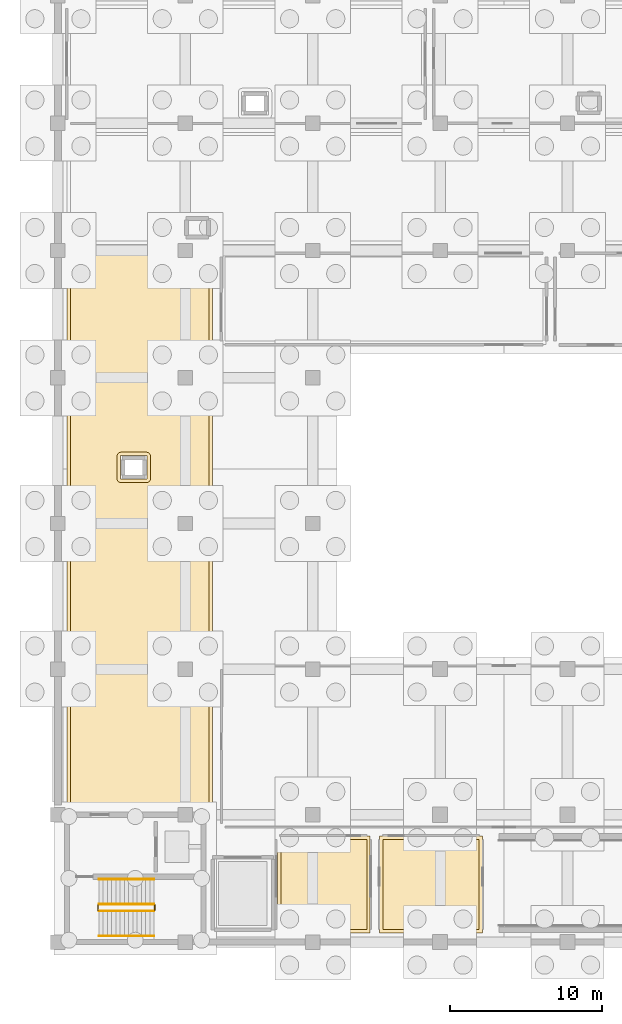
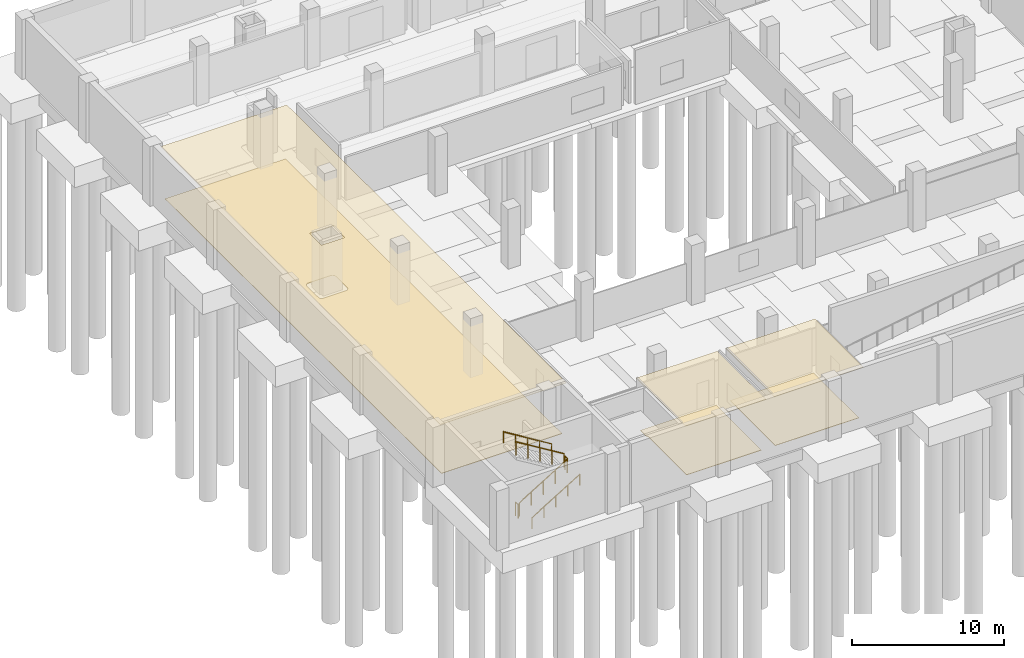
# One storey, part 9 of 12: 6 coverings, 6 railings.
"""IFC4 building model written with IfcOpenShell, lengths in metres."""

from ifc_helpers import new_model, si_unit, direction, frame, origin, origin_2d, place, context, subcontext, project, spatial, polyline, circle, outline, extrude, material, layer, layer_set, type_object, element, save


model = new_model("IFC4")

# Units and contexts
model_context = context("Model", 3, precision=1e-05, world=origin(), true_north=direction((0.0, 1.0)))
body_context = subcontext(model_context, "Body", "Model", "MODEL_VIEW")
ifc_project = project(units=[si_unit("LENGTHUNIT", "METRE"), si_unit("AREAUNIT", "SQUARE_METRE"), si_unit("VOLUMEUNIT", "CUBIC_METRE"), si_unit("PLANEANGLEUNIT", "RADIAN"), si_unit("MASSUNIT", "GRAM", prefix="KILO")], contexts=[model_context])

# Site, building, storey
site_placement = place(None, origin())
site = spatial("IfcSite", under=ifc_project, at=site_placement, CompositionType="ELEMENT")
building_placement = place(site_placement, origin())
building = spatial("IfcBuilding", under=site, at=building_placement, Name="Zulmaris Art Gallery", CompositionType="ELEMENT")
storey_placement = place(building_placement, frame((0.0, 0.0, -4.800048828125)))
storey = spatial("IfcBuildingStorey", under=building, at=storey_placement, Name="B1", CompositionType="ELEMENT", Elevation=-4.800048828125)

# Coverings
ifc_material_1 = material(Name="Micro-Perforated Gypsum Acoustic Ceiling", Category="gypsum")
ifc_layer_1 = layer(ifc_material_1, 0.02490234375)
ifc_layer_set_1 = layer_set([ifc_layer_1], Name="Micro-Perforated Gypsum Acoustic Ceiling")
covering_type_1 = type_object("IfcCoveringType", Name="COV-CL01", PredefinedType="CEILING", material=ifc_layer_set_1)
covering_1_placement = place(storey_placement, frame((0.0, 0.0, 4.130126953125)))
element("IfcCovering", 1, at=covering_1_placement, inside=storey, type_object=covering_type_1, Name="Basement West Vault Corridor acoustic ceiling", PredefinedType="CEILING", context=body_context, shape_type="SweptSolid", body=[
    extrude(outline(polyline([(142.2099609375, 58.7900390625), (151.7900390625, 58.7900390625), (151.7900390625, 22.010009765625), (142.2099609375, 22.010009765625), (142.2099609375, 58.7900390625)]), holes=[polyline([(145.741455078125, 45.278564453125), (145.738525390625, 45.277587890625), (145.736083984375, 45.276123046875), (145.7333984375, 45.274658203125), (145.731201171875, 45.27294921875), (145.72900390625, 45.27099609375), (145.72705078125, 45.268798828125), (145.725341796875, 45.2666015625), (145.723876953125, 45.263916015625), (145.722412109375, 45.261474609375), (145.721435546875, 45.258544921875), (145.720703125, 45.255859375), (145.720458984375, 45.2529296875), (145.719970703125, 45.24462890625), (145.719970703125, 43.75537109375), (145.720458984375, 43.7470703125), (145.720703125, 43.744140625), (145.721435546875, 43.741455078125), (145.722412109375, 43.738525390625), (145.723876953125, 43.736083984375), (145.725341796875, 43.7333984375), (145.72705078125, 43.731201171875), (145.72900390625, 43.72900390625), (145.731201171875, 43.72705078125), (145.7333984375, 43.725341796875), (145.736083984375, 43.723876953125), (145.738525390625, 43.722412109375), (145.741455078125, 43.721435546875), (145.744140625, 43.720703125), (145.7470703125, 43.720458984375), (145.75537109375, 43.719970703125), (147.444580078125, 43.719970703125), (147.452880859375, 43.720458984375), (147.455810546875, 43.720703125), (147.45849609375, 43.721435546875), (147.46142578125, 43.722412109375), (147.464111328125, 43.723876953125), (147.466552734375, 43.725341796875), (147.468994140625, 43.72705078125), (147.470947265625, 43.72900390625), (147.472900390625, 43.731201171875), (147.474609375, 43.7333984375), (147.476318359375, 43.736083984375), (147.4775390625, 43.738525390625), (147.478515625, 43.741455078125), (147.479248046875, 43.744140625), (147.4794921875, 43.7470703125), (147.47998046875, 43.75537109375), (147.47998046875, 45.24462890625), (147.4794921875, 45.2529296875), (147.479248046875, 45.255859375), (147.478515625, 45.258544921875), (147.4775390625, 45.261474609375), (147.476318359375, 45.263916015625), (147.474609375, 45.2666015625), (147.472900390625, 45.268798828125), (147.470947265625, 45.27099609375), (147.468994140625, 45.27294921875), (147.466552734375, 45.274658203125), (147.464111328125, 45.276123046875), (147.46142578125, 45.277587890625), (147.45849609375, 45.278564453125), (147.455810546875, 45.279296875), (147.452880859375, 45.279541015625), (147.444580078125, 45.280029296875), (145.75537109375, 45.280029296875), (145.7470703125, 45.279541015625), (145.744140625, 45.279296875), (145.741455078125, 45.278564453125)])]), origin(), (0.0, 0.0, 1.0), 0.030029296875),
])
covering_2_placement = place(storey_placement, frame((0.0, 0.0, 4.130126953125)))
element("IfcCovering", 2, at=covering_2_placement, inside=storey, type_object=covering_type_1, Name="Basement Staff WC acoustic ceiling", PredefinedType="CEILING", context=body_context, shape_type="SweptSolid", body=[
    extrude(outline(polyline([(162.18994140625, 13.81005859375), (156.080078125, 13.81005859375), (156.080078125, 19.044677734375), (156.07958984375, 19.052978515625), (156.0791015625, 19.055908203125), (156.07861328125, 19.05859375), (156.077392578125, 19.061279296875), (156.076171875, 19.06396484375), (156.07470703125, 19.06640625), (156.072998046875, 19.06884765625), (156.010009765625, 19.138427734375), (156.010009765625, 20.18994140625), (162.18994140625, 20.18994140625), (162.18994140625, 13.81005859375)])), origin(), (0.0, 0.0, 1.0), 0.030029296875),
])
covering_3_placement = place(storey_placement, frame((0.0, 0.0, 4.130126953125)))
element("IfcCovering", 3, at=covering_3_placement, inside=storey, type_object=covering_type_1, Name="Basement Accessible WC acoustic ceiling", PredefinedType="CEILING", context=body_context, shape_type="SweptSolid", body=[
    extrude(outline(polyline([(162.81005859375, 20.18994140625), (169.590087890625, 20.18994140625), (169.590087890625, 13.81005859375), (162.81005859375, 13.81005859375), (162.81005859375, 20.18994140625)])), origin(), (0.0, 0.0, 1.0), 0.030029296875),
])
ifc_material_2 = material(Name="Honed Omani Limestone Terrazzo Flooring", Category="masonry")
ifc_layer_2 = layer(ifc_material_2, 0.0400390625)
ifc_layer_set_2 = layer_set([ifc_layer_2], Name="Honed Omani Limestone Terrazzo Flooring")
covering_type_2 = type_object("IfcCoveringType", Name="COV-FL01", PredefinedType="FLOORING", material=ifc_layer_set_2)
covering_4_placement = place(storey_placement, origin())
element("IfcCovering", 4, at=covering_4_placement, inside=storey, type_object=covering_type_2, Name="Basement West Vault Corridor finish flooring", PredefinedType="FLOORING", context=body_context, shape_type="SweptSolid", body=[
    extrude(outline(polyline([(151.570068359375, 22.22998046875), (142.429931640625, 22.22998046875), (142.429931640625, 58.570068359375), (151.570068359375, 58.570068359375), (151.570068359375, 22.22998046875)]), holes=[polyline([(145.7255859375, 45.498779296875), (145.701171875, 45.4951171875), (145.677490234375, 45.4892578125), (145.654296875, 45.48095703125), (145.632080078125, 45.470458984375), (145.611083984375, 45.4580078125), (145.59130859375, 45.443359375), (145.5732421875, 45.4267578125), (145.556640625, 45.40869140625), (145.5419921875, 45.388916015625), (145.529541015625, 45.367919921875), (145.51904296875, 45.345703125), (145.5107421875, 45.322509765625), (145.5048828125, 45.298828125), (145.501220703125, 45.2744140625), (145.5, 45.25), (145.5, 43.75), (145.501220703125, 43.7255859375), (145.5048828125, 43.701171875), (145.5107421875, 43.677490234375), (145.51904296875, 43.654296875), (145.529541015625, 43.632080078125), (145.5419921875, 43.611083984375), (145.556640625, 43.59130859375), (145.5732421875, 43.5732421875), (145.59130859375, 43.556640625), (145.611083984375, 43.5419921875), (145.632080078125, 43.529541015625), (145.654296875, 43.51904296875), (145.677490234375, 43.5107421875), (145.701171875, 43.5048828125), (145.7255859375, 43.501220703125), (145.75, 43.5), (147.449951171875, 43.5), (147.474609375, 43.501220703125), (147.498779296875, 43.5048828125), (147.522705078125, 43.5107421875), (147.545654296875, 43.51904296875), (147.56787109375, 43.529541015625), (147.5888671875, 43.5419921875), (147.608642578125, 43.556640625), (147.626708984375, 43.5732421875), (147.643310546875, 43.59130859375), (147.657958984375, 43.611083984375), (147.67041015625, 43.632080078125), (147.680908203125, 43.654296875), (147.689208984375, 43.677490234375), (147.6953125, 43.701171875), (147.69873046875, 43.7255859375), (147.699951171875, 43.75), (147.699951171875, 45.25), (147.69873046875, 45.2744140625), (147.6953125, 45.298828125), (147.689208984375, 45.322509765625), (147.680908203125, 45.345703125), (147.67041015625, 45.367919921875), (147.657958984375, 45.388916015625), (147.643310546875, 45.40869140625), (147.626708984375, 45.4267578125), (147.608642578125, 45.443359375), (147.5888671875, 45.4580078125), (147.56787109375, 45.470458984375), (147.545654296875, 45.48095703125), (147.522705078125, 45.4892578125), (147.498779296875, 45.4951171875), (147.474609375, 45.498779296875), (147.449951171875, 45.5), (145.75, 45.5), (145.7255859375, 45.498779296875)])]), origin(), (0.0, 0.0, 1.0), 0.03515625),
])
covering_5_placement = place(storey_placement, origin())
element("IfcCovering", 5, at=covering_5_placement, inside=storey, type_object=covering_type_2, Name="Basement Staff WC finish flooring", PredefinedType="FLOORING", context=body_context, shape_type="SweptSolid", body=[
    extrude(outline(polyline([(156.22998046875, 19.969970703125), (161.969970703125, 19.969970703125), (161.969970703125, 14.030029296875), (156.300048828125, 14.030029296875), (156.300048828125, 19.050048828125), (156.298828125, 19.074462890625), (156.295166015625, 19.098876953125), (156.289306640625, 19.12255859375), (156.281005859375, 19.145751953125), (156.2705078125, 19.167724609375), (156.2578125, 19.18896484375), (156.243408203125, 19.20849609375), (156.22998046875, 19.22314453125), (156.22998046875, 19.969970703125)])), origin(), (0.0, 0.0, 1.0), 0.03515625),
])
covering_6_placement = place(storey_placement, origin())
element("IfcCovering", 6, at=covering_6_placement, inside=storey, type_object=covering_type_2, Name="Basement Accessible WC finish flooring", PredefinedType="FLOORING", context=body_context, shape_type="SweptSolid", body=[
    extrude(outline(polyline([(169.3701171875, 14.030029296875), (163.030029296875, 14.030029296875), (163.030029296875, 19.969970703125), (169.3701171875, 19.969970703125), (169.3701171875, 14.030029296875)])), origin(), (0.0, 0.0, 1.0), 0.03515625),
])

# Railings
ifc_material_3 = material(Name="Steel S355J2", Category="steel")
ifc_layer_3 = layer(ifc_material_3, 0.050048828125)
ifc_layer_set_3 = layer_set([ifc_layer_3], Name="Steel S355J2")
railing_type_1 = type_object("IfcRailingType", Name="RAIL-STGRD", PredefinedType="GUARDRAIL", material=ifc_layer_set_3)
railing_1_placement = place(storey_placement, frame((144.300048828125, 15.25, 0.17138671875)))
element("IfcRailing", 7, at=railing_1_placement, inside=storey, type_object=railing_type_1, Name="B1 ST3 stair guard 1", PredefinedType="GUARDRAIL", context=body_context, shape_type="SweptSolid", body=[
    extrude(circle(Radius=0.02392578125, at=origin_2d()), frame((0.0, 0.0, 1.076171875), z_axis=(0.852824790078, 0.0, 0.522197163366), x_axis=(0.0, 1.0, 0.0)), (0.0, 0.0, 1.0), 4.26806640625),
    extrude(circle(Radius=0.02099609375, at=origin_2d()), origin(), (0.0, 0.0, 1.0), 1.052001953125),
    extrude(circle(Radius=0.02099609375, at=origin_2d()), frame((0.909912109375, 0.0, 0.55712890625)), (0.0, 0.0, 1.0), 1.052001953125),
    extrude(circle(Radius=0.02099609375, at=origin_2d()), frame((1.81982421875, 0.0, 1.1142578125)), (0.0, 0.0, 1.0), 1.052001953125),
    extrude(circle(Radius=0.02099609375, at=origin_2d()), frame((2.72998046875, 0.0, 1.671630859375)), (0.0, 0.0, 1.0), 1.052001953125),
    extrude(circle(Radius=0.02099609375, at=origin_2d()), frame((3.639892578125, 0.0, 2.228759765625)), (0.0, 0.0, 1.0), 1.052001953125),
])
railing_2_placement = place(storey_placement, frame((147.989990234375, 15.300048828125, 2.400146484375)))
element("IfcRailing", 8, at=railing_2_placement, inside=storey, type_object=railing_type_1, Name="B1 ST3 stair guard 2", PredefinedType="GUARDRAIL", context=body_context, shape_type="SweptSolid", body=[
    extrude(circle(Radius=0.02392578125, at=origin_2d()), frame((0.0, 0.0, 1.076171875), z_axis=(0.0, 1.0, 0.0), x_axis=(-1.0, 0.0, 0.0)), (0.0, 0.0, 1.0), 0.33984375),
    extrude(circle(Radius=0.02099609375, at=origin_2d()), origin(), (0.0, 0.0, 1.0), 1.052001953125),
    extrude(circle(Radius=0.02099609375, at=origin_2d()), frame((0.0, 0.33984375, 0.0)), (0.0, 0.0, 1.0), 1.052001953125),
])
railing_3_placement = place(storey_placement, frame((147.93994140625, 15.68994140625, 2.571533203125)))
element("IfcRailing", 9, at=railing_3_placement, inside=storey, type_object=railing_type_1, Name="B1 ST3 stair guard 3", PredefinedType="GUARDRAIL", context=body_context, shape_type="SweptSolid", body=[
    extrude(circle(Radius=0.02392578125, at=origin_2d()), frame((0.0, 0.0, 1.076171875), z_axis=(-0.852850264322, 0.0, 0.5221555579), x_axis=(0.0, -1.0, 0.0)), (0.0, 0.0, 1.0), 4.267822265625),
    extrude(circle(Radius=0.02099609375, at=origin_2d()), origin(), (0.0, 0.0, 1.0), 1.052001953125),
    extrude(circle(Radius=0.02099609375, at=origin_2d()), frame((-0.909912109375, 0.0, 0.55712890625)), (0.0, 0.0, 1.0), 1.052001953125),
    extrude(circle(Radius=0.02099609375, at=origin_2d()), frame((-1.81982421875, 0.0, 1.1142578125)), (0.0, 0.0, 1.0), 1.052001953125),
    extrude(circle(Radius=0.02099609375, at=origin_2d()), frame((-2.72998046875, 0.0, 1.67138671875)), (0.0, 0.0, 1.0), 1.052001953125),
    extrude(circle(Radius=0.02099609375, at=origin_2d()), frame((-3.639892578125, 0.0, 2.228515625)), (0.0, 0.0, 1.0), 1.052001953125),
])
railing_4_placement = place(storey_placement, frame((144.25, 15.300048828125, 0.0)))
element("IfcRailing", 10, at=railing_4_placement, inside=storey, type_object=railing_type_1, Name="B1 ST3 stair guard 4", PredefinedType="GUARDRAIL", context=body_context, shape_type="SweptSolid", body=[
    extrude(circle(Radius=0.02392578125, at=origin_2d()), frame((0.0, 0.0, 1.076171875), z_axis=(0.0, 1.0, 0.0), x_axis=(-1.0, 0.0, 0.0)), (0.0, 0.0, 1.0), 0.33984375),
    extrude(circle(Radius=0.02099609375, at=origin_2d()), origin(), (0.0, 0.0, 1.0), 1.052001953125),
    extrude(circle(Radius=0.02099609375, at=origin_2d()), frame((0.0, 0.33984375, 0.0)), (0.0, 0.0, 1.0), 1.052001953125),
])
ifc_material_4 = material(Name="Brushed Bronze Handrail", Category="steel")
ifc_layer_4 = layer(ifc_material_4, 0.048095703125)
ifc_layer_set_4 = layer_set([ifc_layer_4], Name="Brushed Bronze Handrail")
railing_type_2 = type_object("IfcRailingType", Name="RAIL-STHND", PredefinedType="HANDRAIL", material=ifc_layer_set_4)
railing_5_placement = place(storey_placement, frame((144.300048828125, 13.60009765625, 0.17138671875)))
element("IfcRailing", 11, at=railing_5_placement, inside=storey, type_object=railing_type_2, Name="B1 ST3 stair handrail 1", PredefinedType="HANDRAIL", context=body_context, shape_type="SweptSolid", body=[
    extrude(circle(Radius=0.02392578125, at=origin_2d()), frame((0.0, 0.0, 0.8759765625), z_axis=(0.852824790078, 0.0, 0.522197163366), x_axis=(0.0, 1.0, 0.0)), (0.0, 0.0, 1.0), 4.26806640625),
    extrude(circle(Radius=0.02099609375, at=origin_2d()), origin(), (0.0, 0.0, 1.0), 0.851806640625),
    extrude(circle(Radius=0.02099609375, at=origin_2d()), frame((0.909912109375, 0.0, 0.55712890625)), (0.0, 0.0, 1.0), 0.851806640625),
    extrude(circle(Radius=0.02099609375, at=origin_2d()), frame((1.81982421875, 0.0, 1.1142578125)), (0.0, 0.0, 1.0), 0.851806640625),
    extrude(circle(Radius=0.02099609375, at=origin_2d()), frame((2.72998046875, 0.0, 1.671630859375)), (0.0, 0.0, 1.0), 0.851806640625),
    extrude(circle(Radius=0.02099609375, at=origin_2d()), frame((3.639892578125, 0.0, 2.228759765625)), (0.0, 0.0, 1.0), 0.851806640625),
])
railing_6_placement = place(storey_placement, frame((147.93994140625, 17.340087890625, 2.571533203125)))
element("IfcRailing", 12, at=railing_6_placement, inside=storey, type_object=railing_type_2, Name="B1 ST3 stair handrail 2", PredefinedType="HANDRAIL", context=body_context, shape_type="SweptSolid", body=[
    extrude(circle(Radius=0.02392578125, at=origin_2d()), frame((0.0, 0.0, 0.8759765625), z_axis=(-0.852850264322, 0.0, 0.5221555579), x_axis=(0.0, -1.0, 0.0)), (0.0, 0.0, 1.0), 4.267822265625),
    extrude(circle(Radius=0.02099609375, at=origin_2d()), origin(), (0.0, 0.0, 1.0), 0.851806640625),
    extrude(circle(Radius=0.02099609375, at=origin_2d()), frame((-0.909912109375, 0.0, 0.55712890625)), (0.0, 0.0, 1.0), 0.851806640625),
    extrude(circle(Radius=0.02099609375, at=origin_2d()), frame((-1.81982421875, 0.0, 1.1142578125)), (0.0, 0.0, 1.0), 0.851806640625),
    extrude(circle(Radius=0.02099609375, at=origin_2d()), frame((-2.72998046875, 0.0, 1.67138671875)), (0.0, 0.0, 1.0), 0.851806640625),
    extrude(circle(Radius=0.02099609375, at=origin_2d()), frame((-3.639892578125, 0.0, 2.228515625)), (0.0, 0.0, 1.0), 0.851806640625),
])

save(model, "model.ifc")
